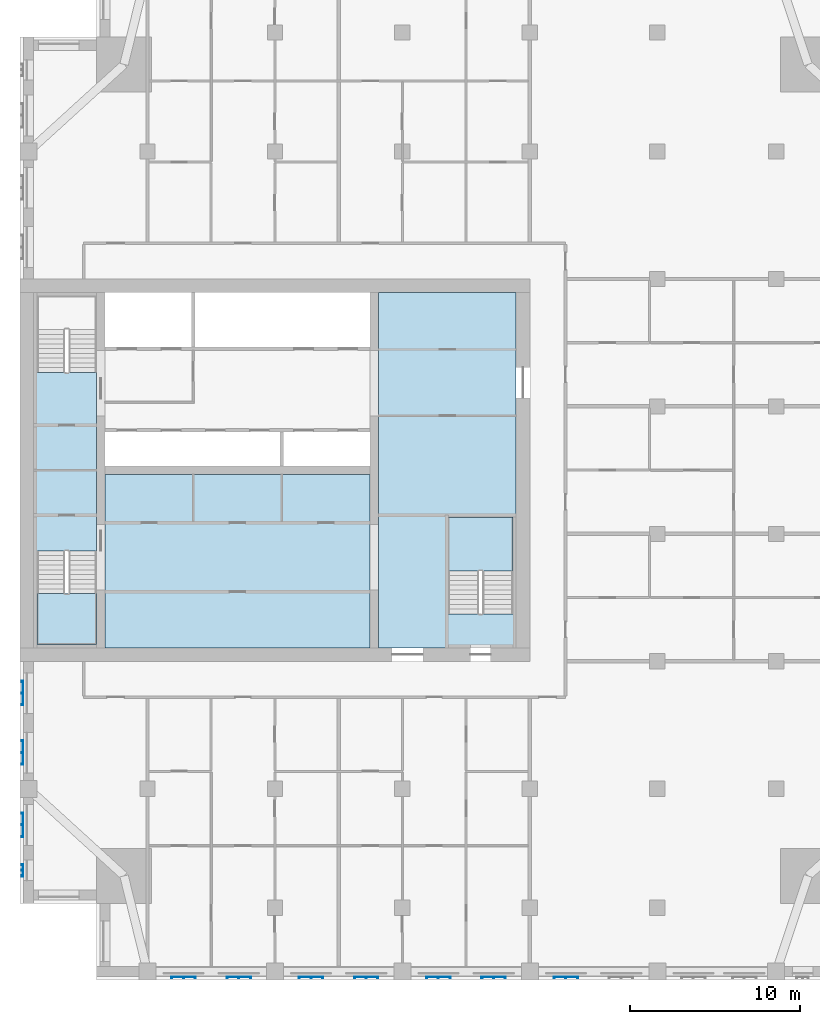
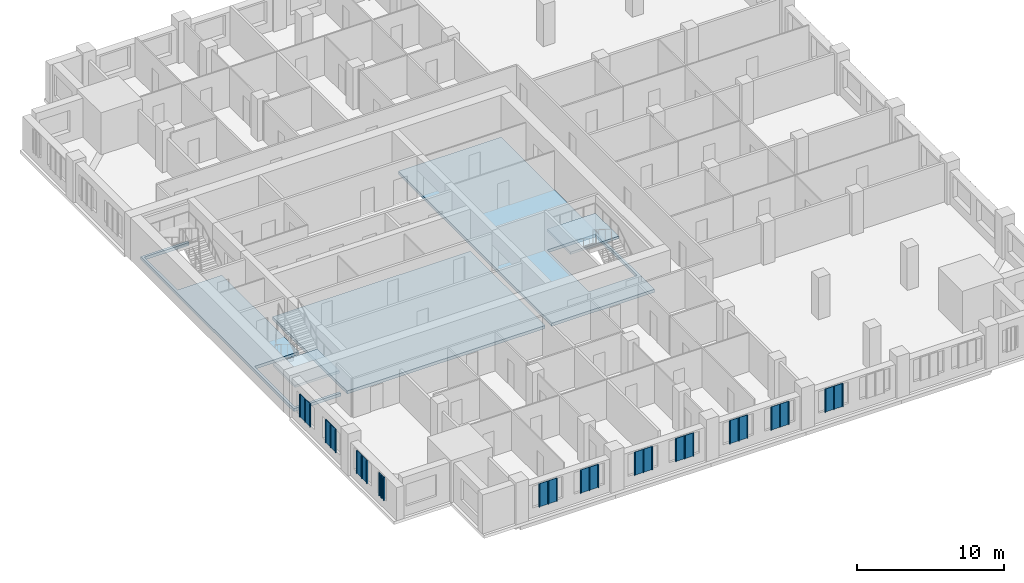
# One storey, part 2 of 14: 11 plates, 5 slabs, 2 elements without a shape of their own.
"""IFC4 building model written with IfcOpenShell, lengths in metres."""

import ifcopenshell
import ifcopenshell.guid

model = None  # the IFC model being written
_history = None  # IfcOwnerHistory: only IFC2X3 demands one
_inside = {}  # id of a spatial element -> (the spatial element, [elements in it])
_under = {}  # id of a project, library or spatial element -> (it, [spatial elements below it])
_declared = {}  # id of a project -> (the project, [libraries it declares])
_typed = {}  # id of a type object -> (the type object, [elements of that type])
_made_of = {}  # id of a material, layer set ... -> (it, [elements and type objects made of it])


def new_model(schema):
    """Start an empty IFC model of exactly this schema.

    Asked for "IFC4X3", IfcOpenShell would pick the latest addendum, in which some entities
    have other attributes; the version numbers below select the first issue.
    IFC2X3 requires an IfcOwnerHistory on every rooted entity: one is made here for all.
    """
    global model, _history
    if schema == "IFC4X3":
        model = ifcopenshell.file(schema_version=(4, 3, 0, 0))
    else:
        model = ifcopenshell.file(schema=schema)
    _inside.clear()
    _under.clear()
    _declared.clear()
    _typed.clear()
    _made_of.clear()
    _history = None
    if model.schema == "IFC2X3":
        org = make("IfcOrganization", Name="unknown")
        user = make(
            "IfcPersonAndOrganization",
            ThePerson=make("IfcPerson", FamilyName="unknown"),
            TheOrganization=org,
        )
        app = make(
            "IfcApplication",
            ApplicationDeveloper=org,
            Version="unknown",
            ApplicationFullName="unknown",
            ApplicationIdentifier="unknown",
        )
        _history = make(
            "IfcOwnerHistory",
            OwningUser=user,
            OwningApplication=app,
            ChangeAction="ADDED",
            CreationDate=0,
        )
    return model


def make(cls, **values):
    """One entity of the class cls with the attributes given. An attribute that is None is left unset."""
    return model.create_entity(
        cls, **{name: value for name, value in values.items() if value is not None}
    )


def rooted(cls, **values):
    """An entity with a GlobalId (a new one), such as an element, a storey or a relation."""
    return make(cls, GlobalId=ifcopenshell.guid.new(), OwnerHistory=_history, **values)


def si_unit(unit_type, name, prefix=None):
    """IfcSIUnit, for example si_unit("LENGTHUNIT", "METRE", prefix="MILLI")."""
    return make("IfcSIUnit", UnitType=unit_type, Prefix=prefix, Name=name)


def assignment(units):
    """IfcUnitAssignment: the units of a project."""
    return None if units is None else make("IfcUnitAssignment", Units=units)


def point(xyz):
    """IfcCartesianPoint."""
    return None if xyz is None else make("IfcCartesianPoint", Coordinates=xyz)


def direction(xyz):
    """IfcDirection."""
    return None if xyz is None else make("IfcDirection", DirectionRatios=xyz)


def frame(location, z_axis=None, x_axis=None):
    """IfcAxis2Placement3D, a coordinate frame: its origin and axes. An axis left out is left unset."""
    return make(
        "IfcAxis2Placement3D",
        Location=point(location),
        Axis=direction(z_axis),
        RefDirection=direction(x_axis),
    )


def origin():
    """The frame at (0, 0, 0) with its axes left unset."""
    return frame((0.0, 0.0, 0.0))


def place(relative_to, where):
    """IfcLocalPlacement: puts the frame where relative to a parent placement (None: the world)."""
    return make(
        "IfcLocalPlacement", PlacementRelTo=relative_to, RelativePlacement=where
    )


def context(
    kind, dimensions, precision=None, world=None, true_north=None, identifier=None
):
    """IfcGeometricRepresentationContext, for example the 3D "Model" context."""
    return make(
        "IfcGeometricRepresentationContext",
        ContextIdentifier=identifier,
        ContextType=kind,
        CoordinateSpaceDimension=dimensions,
        Precision=precision,
        WorldCoordinateSystem=world,
        TrueNorth=true_north,
    )


def subcontext(parent, identifier, kind, view, scale=None):
    """IfcGeometricRepresentationSubContext, for example "Body" below "Model"."""
    return make(
        "IfcGeometricRepresentationSubContext",
        ContextIdentifier=identifier,
        ContextType=kind,
        ParentContext=parent,
        TargetScale=scale,
        TargetView=view,
    )


def project(units=None, contexts=None):
    """IfcProject with its units and contexts."""
    return rooted(
        "IfcProject",
        Name="project",
        RepresentationContexts=contexts,
        UnitsInContext=assignment(units),
    )


def spatial(cls, under=None, at=None, **own):
    """A site, building, storey or space (cls), placed at a placement, below another one or the project."""
    s = rooted(cls, ObjectPlacement=at, **own)
    if under is not None:
        _under.setdefault(under.id(), (under, []))[1].append(s)
    return s


def polyline(points):
    """IfcPolyline through the points."""
    return make("IfcPolyline", Points=[point(p) for p in points])


def outline(outer, holes=None, kind="AREA"):
    """IfcArbitraryClosedProfileDef: a profile drawn as a closed curve; with holes, ...WithVoids."""
    if holes is None:
        return make("IfcArbitraryClosedProfileDef", ProfileType=kind, OuterCurve=outer)
    return make(
        "IfcArbitraryProfileDefWithVoids",
        ProfileType=kind,
        OuterCurve=outer,
        InnerCurves=holes,
    )


def extrude(swept, where, along, depth):
    """IfcExtrudedAreaSolid: the profile swept, set in the frame where, extruded along a direction by depth."""
    return make(
        "IfcExtrudedAreaSolid",
        SweptArea=swept,
        Position=where,
        ExtrudedDirection=direction(along),
        Depth=depth,
    )


def shape(context_of_items, identifier, shape_type, items):
    """IfcShapeRepresentation: the items that make up one representation, for example the "Body"."""
    return make(
        "IfcShapeRepresentation",
        ContextOfItems=context_of_items,
        RepresentationIdentifier=identifier,
        RepresentationType=shape_type,
        Items=items,
    )


def material(Name=None, Category=None):
    """IfcMaterial."""
    return make("IfcMaterial", Name=Name, Category=Category)


def layer(
    of_material, thickness, ventilated=None, Name=None, Category=None, Priority=None
):
    """IfcMaterialLayer: one layer of a wall or slab, of a material (None: an air gap)."""
    return make(
        "IfcMaterialLayer",
        Material=of_material,
        LayerThickness=thickness,
        IsVentilated=ventilated,
        Name=Name,
        Category=Category,
        Priority=Priority,
    )


def layer_set(layers, Name=None):
    """IfcMaterialLayerSet."""
    return make("IfcMaterialLayerSet", MaterialLayers=layers, LayerSetName=Name)


def made_of(thing, what):
    """Note that an element or type object is made of a material, layer set ...; save() writes the relation."""
    if what is not None:
        _made_of.setdefault(what.id(), (what, []))[1].append(thing)
    return thing


def type_object(cls, material=None, **own):
    """A type object (cls), such as IfcWallType, which elements share."""
    return made_of(rooted(cls, **own), material)


def element(
    cls,
    number,
    at=None,
    inside=None,
    cuts=None,
    type_object=None,
    material=None,
    context=None,
    identifier="Body",
    shape_type=None,
    held_by="IfcProductDefinitionShape",
    body=None,
    shapes=None,
    **own,
):
    """One element of the class cls, such as IfcWall. Its Tag is "e" and its number.

    at: its placement. inside: the storey or other place that contains it. cuts: it is an
    opening in that element (IfcRelVoidsElement). A single representation is given by context,
    identifier, shape_type and body (its items); several are given by shapes. held_by: the class
    of the entity that holds the representations. save() writes the other relations.
    """
    e = rooted(cls, Tag="e%d" % number, ObjectPlacement=at, **own)
    if body is not None:
        shapes = [shape(context, identifier, shape_type, body)]
    if shapes is not None:
        e.Representation = make(held_by, Representations=shapes)
    if inside is not None:
        _inside.setdefault(inside.id(), (inside, []))[1].append(e)
    if cuts is not None:
        rooted(
            "IfcRelVoidsElement", RelatingBuildingElement=cuts, RelatedOpeningElement=e
        )
    if type_object is not None:
        _typed.setdefault(type_object.id(), (type_object, []))[1].append(e)
    return made_of(e, material)


def aggregate(whole, parts):
    """IfcRelAggregates: a whole, such as a stair, and the parts it consists of."""
    return rooted("IfcRelAggregates", RelatingObject=whole, RelatedObjects=parts)


def save(model, path):
    """Write the relations noted so far, then the file.

    IfcRelAggregates (storeys below a building ...), IfcRelContainedInSpatialStructure (elements
    in a storey), IfcRelDefinesByType, IfcRelAssociatesMaterial and IfcRelDeclares: one each for
    every whole, place, type object, material and project.
    """
    for whole, parts in _under.values():
        aggregate(whole, parts)
    for where, things in _inside.values():
        rooted(
            "IfcRelContainedInSpatialStructure",
            RelatedElements=things,
            RelatingStructure=where,
        )
    for kind, things in _typed.values():
        rooted("IfcRelDefinesByType", RelatedObjects=things, RelatingType=kind)
    for what, things in _made_of.values():
        rooted("IfcRelAssociatesMaterial", RelatedObjects=things, RelatingMaterial=what)
    for by, libraries in _declared.values():
        rooted("IfcRelDeclares", RelatingContext=by, RelatedDefinitions=libraries)
    model.write(path)


model = new_model("IFC4")

# Units and contexts
model_context = context("Model", 3, precision=1e-05, world=origin(), true_north=direction((0.0, 1.0)))
body_context = subcontext(model_context, "Body", "Model", "MODEL_VIEW")
ifc_project = project(units=[si_unit("LENGTHUNIT", "METRE"), si_unit("AREAUNIT", "SQUARE_METRE"), si_unit("VOLUMEUNIT", "CUBIC_METRE"), si_unit("PLANEANGLEUNIT", "RADIAN"), si_unit("MASSUNIT", "GRAM", prefix="KILO")], contexts=[model_context])

# Site, building, storey
site_placement = place(None, origin())
site = spatial("IfcSite", under=ifc_project, at=site_placement, CompositionType="ELEMENT")
building_placement = place(site_placement, origin())
building = spatial("IfcBuilding", under=site, at=building_placement, Name="Tamorin Gate", CompositionType="ELEMENT")
storey_placement = place(building_placement, frame((0.0, 0.0, 196.699951171875)))
storey = spatial("IfcBuildingStorey", under=building, at=storey_placement, Name="L48", CompositionType="ELEMENT", Elevation=196.699951171875)

# Slabs
ifc_material_1 = material(Name="Concrete C40/50", Category="concrete")
ifc_layer_1 = layer(ifc_material_1, 0.25)
ifc_layer_set_1 = layer_set([ifc_layer_1], Name="Core floor slab 250 C40/50")
slab_type_1 = type_object("IfcSlabType", Name="Core floor slab 250 C40/50", PredefinedType="FLOOR", material=ifc_layer_set_1)
slab_1_placement = place(storey_placement, frame((0.0, 0.0, -0.25)))
element("IfcSlab", 1, at=slab_1_placement, inside=storey, type_object=slab_type_1, Name="Core floor L48", PredefinedType="FLOOR", context=body_context, shape_type="SweptSolid", body=[
    extrude(outline(polyline([(51.10009765625, 81.699951171875), (59.199951171875, 81.699951171875), (59.199951171875, 60.800048828125), (51.10009765625, 60.800048828125), (51.10009765625, 81.699951171875)]), holes=[polyline([(55.199951171875, 62.800048828125), (59.0, 62.800048828125), (59.0, 68.5), (55.199951171875, 68.5), (55.199951171875, 62.800048828125)])]), origin(), (0.0, 0.0, 1.0), 0.25),
])
slab_2_placement = place(storey_placement, frame((0.0, 0.0, -0.25)))
element("IfcSlab", 2, at=slab_2_placement, inside=storey, type_object=slab_type_1, Name="Core floor L48", PredefinedType="FLOOR", context=body_context, shape_type="SweptSolid", body=[
    extrude(outline(polyline([(50.60009765625, 71.0), (50.60009765625, 60.800048828125), (35.0, 60.800048828125), (35.0, 71.0), (50.60009765625, 71.0)])), origin(), (0.0, 0.0, 1.0), 0.25),
])
slab_3_placement = place(storey_placement, frame((0.0, 0.0, -0.25)))
element("IfcSlab", 3, at=slab_3_placement, inside=storey, type_object=slab_type_1, Name="Core floor L48", PredefinedType="FLOOR", context=body_context, shape_type="SweptSolid", body=[
    extrude(outline(polyline([(34.5, 60.800048828125), (30.800048828125, 60.800048828125), (30.800048828125, 81.699951171875), (34.5, 81.699951171875), (34.5, 81.5), (31.0, 81.5), (31.0, 77.0), (34.5, 77.0), (34.5, 66.5), (31.0, 66.5), (31.0, 61.0), (34.5, 61.0), (34.5, 60.800048828125)])), origin(), (0.0, 0.0, 1.0), 0.25),
])

# Stair, slab
stair_type = type_object("IfcStairType", Name="Exit stair", PredefinedType="HALF_TURN_STAIR", material=ifc_material_1)
stair_1_placement = place(storey_placement, origin())
stair_1 = element("IfcStair", 4, at=stair_1_placement, inside=storey, type_object=stair_type, Name="L48 stair ST1", PredefinedType="HALF_TURN_STAIR")
ifc_layer_2 = layer(ifc_material_1, 0.199951171875)
ifc_layer_set_2 = layer_set([ifc_layer_2], Name="Exit stair landing 200")
slab_type_2 = type_object("IfcSlabType", Name="Exit stair landing 200", PredefinedType="LANDING", material=ifc_layer_set_2)
slab_4_placement = place(storey_placement, frame((0.0, 0.0, 1.550048828125)))
slab_4 = element("IfcSlab", 5, at=slab_4_placement, type_object=slab_type_2, Name="ST1 landing 1", PredefinedType="LANDING", context=body_context, shape_type="SweptSolid", body=[
    extrude(outline(polyline([(31.0, 63.97998046875), (31.0, 61.0), (34.5, 61.0), (34.5, 63.97998046875), (31.0, 63.97998046875)])), origin(), (0.0, 0.0, 1.0), 0.199951171875),
])
aggregate(stair_1, [slab_4])

stair_2_placement = place(storey_placement, origin())
stair_2 = element("IfcStair", 6, at=stair_2_placement, inside=storey, type_object=stair_type, Name="L48 stair ST3", PredefinedType="HALF_TURN_STAIR")
slab_5_placement = place(storey_placement, frame((0.0, 0.0, 1.550048828125)))
slab_5 = element("IfcSlab", 7, at=slab_5_placement, type_object=slab_type_2, Name="ST3 landing 1", PredefinedType="LANDING", context=body_context, shape_type="SweptSolid", body=[
    extrude(outline(polyline([(59.0, 65.320068359375), (59.0, 68.5), (55.199951171875, 68.5), (55.199951171875, 65.320068359375), (59.0, 65.320068359375)])), origin(), (0.0, 0.0, 1.0), 0.199951171875),
])
aggregate(stair_2, [slab_5])

# Plates
ifc_material_2 = material(Name="Perforated pale aluminium sheet", Category="aluminium")
ifc_layer_3 = layer(ifc_material_2, 0.0400390625)
ifc_layer_set_3 = layer_set([ifc_layer_3], Name="Pale metal solar screen 1440")
plate_type_1 = type_object("IfcPlateType", Name="Pale metal solar screen 1440", PredefinedType="SHEET", material=ifc_layer_set_3)
plate_1_placement = place(storey_placement, frame((0.0, 0.0, 0.737548828125)))
element("IfcPlate", 8, at=plate_1_placement, inside=storey, type_object=plate_type_1, Name="Perforated solar screen", PredefinedType="SHEET", context=body_context, shape_type="SweptSolid", body=[
    extrude(outline(polyline([(38.905029296875, 41.409912109375), (38.905029296875, 41.449951171875), (38.965087890625, 41.449951171875), (39.594970703125, 41.449951171875), (39.655029296875, 41.449951171875), (40.284912109375, 41.449951171875), (40.344970703125, 41.449951171875), (40.344970703125, 41.449951171875), (40.344970703125, 41.409912109375), (40.344970703125, 41.409912109375), (40.344970703125, 41.35009765625), (40.284912109375, 41.35009765625), (40.284912109375, 41.409912109375), (39.655029296875, 41.409912109375), (39.655029296875, 41.35009765625), (39.594970703125, 41.35009765625), (39.594970703125, 41.409912109375), (38.965087890625, 41.409912109375), (38.965087890625, 41.35009765625), (38.905029296875, 41.35009765625), (38.905029296875, 41.409912109375)])), origin(), (0.0, 0.0, 1.0), 1.925048828125),
])
plate_2_placement = place(storey_placement, frame((0.0, 0.0, 0.737548828125)))
element("IfcPlate", 9, at=plate_2_placement, inside=storey, type_object=plate_type_1, Name="Perforated solar screen", PredefinedType="SHEET", context=body_context, shape_type="SweptSolid", body=[
    extrude(outline(polyline([(42.155029296875, 41.409912109375), (42.155029296875, 41.449951171875), (42.215087890625, 41.449951171875), (42.844970703125, 41.449951171875), (42.905029296875, 41.449951171875), (43.534912109375, 41.449951171875), (43.594970703125, 41.449951171875), (43.594970703125, 41.409912109375), (43.594970703125, 41.35009765625), (43.534912109375, 41.35009765625), (43.534912109375, 41.409912109375), (42.905029296875, 41.409912109375), (42.905029296875, 41.35009765625), (42.844970703125, 41.35009765625), (42.844970703125, 41.409912109375), (42.215087890625, 41.409912109375), (42.215087890625, 41.35009765625), (42.155029296875, 41.35009765625), (42.155029296875, 41.409912109375)])), origin(), (0.0, 0.0, 1.0), 1.925048828125),
])
plate_3_placement = place(storey_placement, frame((0.0, 0.0, 0.737548828125)))
element("IfcPlate", 10, at=plate_3_placement, inside=storey, type_object=plate_type_1, Name="Perforated solar screen", PredefinedType="SHEET", context=body_context, shape_type="SweptSolid", body=[
    extrude(outline(polyline([(46.405029296875, 41.409912109375), (46.405029296875, 41.449951171875), (46.465087890625, 41.449951171875), (47.094970703125, 41.449951171875), (47.155029296875, 41.449951171875), (47.784912109375, 41.449951171875), (47.844970703125, 41.449951171875), (47.844970703125, 41.409912109375), (47.844970703125, 41.35009765625), (47.784912109375, 41.35009765625), (47.784912109375, 41.409912109375), (47.155029296875, 41.409912109375), (47.155029296875, 41.35009765625), (47.094970703125, 41.35009765625), (47.094970703125, 41.409912109375), (46.465087890625, 41.409912109375), (46.465087890625, 41.35009765625), (46.405029296875, 41.35009765625), (46.405029296875, 41.409912109375)])), origin(), (0.0, 0.0, 1.0), 1.925048828125),
])
plate_4_placement = place(storey_placement, frame((0.0, 0.0, 0.737548828125)))
element("IfcPlate", 11, at=plate_4_placement, inside=storey, type_object=plate_type_1, Name="Perforated solar screen", PredefinedType="SHEET", context=body_context, shape_type="SweptSolid", body=[
    extrude(outline(polyline([(49.655029296875, 41.409912109375), (49.655029296875, 41.449951171875), (49.715087890625, 41.449951171875), (50.344970703125, 41.449951171875), (50.405029296875, 41.449951171875), (51.034912109375, 41.449951171875), (51.094970703125, 41.449951171875), (51.094970703125, 41.409912109375), (51.094970703125, 41.35009765625), (51.034912109375, 41.35009765625), (51.034912109375, 41.409912109375), (50.405029296875, 41.409912109375), (50.405029296875, 41.35009765625), (50.344970703125, 41.35009765625), (50.344970703125, 41.409912109375), (49.715087890625, 41.409912109375), (49.715087890625, 41.35009765625), (49.655029296875, 41.35009765625), (49.655029296875, 41.409912109375)])), origin(), (0.0, 0.0, 1.0), 1.925048828125),
])
plate_5_placement = place(storey_placement, frame((0.0, 0.0, 0.737548828125)))
element("IfcPlate", 12, at=plate_5_placement, inside=storey, type_object=plate_type_1, Name="Perforated solar screen", PredefinedType="SHEET", context=body_context, shape_type="SweptSolid", body=[
    extrude(outline(polyline([(53.905029296875, 41.409912109375), (53.905029296875, 41.449951171875), (53.965087890625, 41.449951171875), (54.594970703125, 41.449951171875), (54.655029296875, 41.449951171875), (55.284912109375, 41.449951171875), (55.344970703125, 41.449951171875), (55.344970703125, 41.409912109375), (55.344970703125, 41.35009765625), (55.284912109375, 41.35009765625), (55.284912109375, 41.409912109375), (54.655029296875, 41.409912109375), (54.655029296875, 41.35009765625), (54.594970703125, 41.35009765625), (54.594970703125, 41.409912109375), (53.965087890625, 41.409912109375), (53.965087890625, 41.35009765625), (53.905029296875, 41.35009765625), (53.905029296875, 41.409912109375)])), origin(), (0.0, 0.0, 1.0), 1.925048828125),
])
plate_6_placement = place(storey_placement, frame((0.0, 0.0, 0.737548828125)))
element("IfcPlate", 13, at=plate_6_placement, inside=storey, type_object=plate_type_1, Name="Perforated solar screen", PredefinedType="SHEET", context=body_context, shape_type="SweptSolid", body=[
    extrude(outline(polyline([(57.155029296875, 41.409912109375), (57.155029296875, 41.449951171875), (57.215087890625, 41.449951171875), (57.844970703125, 41.449951171875), (57.905029296875, 41.449951171875), (58.534912109375, 41.449951171875), (58.594970703125, 41.449951171875), (58.594970703125, 41.409912109375), (58.594970703125, 41.35009765625), (58.534912109375, 41.35009765625), (58.534912109375, 41.409912109375), (57.905029296875, 41.409912109375), (57.905029296875, 41.35009765625), (57.844970703125, 41.35009765625), (57.844970703125, 41.409912109375), (57.215087890625, 41.409912109375), (57.215087890625, 41.35009765625), (57.155029296875, 41.35009765625), (57.155029296875, 41.409912109375)])), origin(), (0.0, 0.0, 1.0), 1.925048828125),
])
plate_7_placement = place(storey_placement, frame((0.0, 0.0, 0.737548828125)))
element("IfcPlate", 14, at=plate_7_placement, inside=storey, type_object=plate_type_1, Name="Perforated solar screen", PredefinedType="SHEET", context=body_context, shape_type="SweptSolid", body=[
    extrude(outline(polyline([(61.405029296875, 41.409912109375), (61.405029296875, 41.449951171875), (61.465087890625, 41.449951171875), (62.094970703125, 41.449951171875), (62.155029296875, 41.449951171875), (62.784912109375, 41.449951171875), (62.844970703125, 41.449951171875), (62.844970703125, 41.409912109375), (62.844970703125, 41.35009765625), (62.784912109375, 41.35009765625), (62.784912109375, 41.409912109375), (62.155029296875, 41.409912109375), (62.155029296875, 41.35009765625), (62.094970703125, 41.35009765625), (62.094970703125, 41.409912109375), (61.465087890625, 41.409912109375), (61.465087890625, 41.35009765625), (61.405029296875, 41.35009765625), (61.405029296875, 41.409912109375)])), origin(), (0.0, 0.0, 1.0), 1.925048828125),
])
plate_8_placement = place(storey_placement, frame((0.0, 0.0, 0.737548828125)))
element("IfcPlate", 15, at=plate_8_placement, inside=storey, type_object=plate_type_1, Name="Perforated solar screen", PredefinedType="SHEET", context=body_context, shape_type="SweptSolid", body=[
    extrude(outline(polyline([(30.159912109375, 55.344970703125), (30.199951171875, 55.344970703125), (30.199951171875, 55.284912109375), (30.199951171875, 54.655029296875), (30.199951171875, 54.594970703125), (30.199951171875, 53.965087890625), (30.199951171875, 53.905029296875), (30.159912109375, 53.905029296875), (30.10009765625, 53.905029296875), (30.10009765625, 53.965087890625), (30.159912109375, 53.965087890625), (30.159912109375, 54.594970703125), (30.10009765625, 54.594970703125), (30.10009765625, 54.655029296875), (30.159912109375, 54.655029296875), (30.159912109375, 55.284912109375), (30.10009765625, 55.284912109375), (30.10009765625, 55.344970703125), (30.159912109375, 55.344970703125)])), origin(), (0.0, 0.0, 1.0), 1.925048828125),
])
plate_9_placement = place(storey_placement, frame((0.0, 0.0, 0.737548828125)))
element("IfcPlate", 16, at=plate_9_placement, inside=storey, type_object=plate_type_1, Name="Perforated solar screen", PredefinedType="SHEET", context=body_context, shape_type="SweptSolid", body=[
    extrude(outline(polyline([(30.159912109375, 58.844970703125), (30.199951171875, 58.844970703125), (30.199951171875, 58.784912109375), (30.199951171875, 58.155029296875), (30.199951171875, 58.094970703125), (30.199951171875, 57.465087890625), (30.199951171875, 57.405029296875), (30.159912109375, 57.405029296875), (30.10009765625, 57.405029296875), (30.10009765625, 57.465087890625), (30.159912109375, 57.465087890625), (30.159912109375, 58.094970703125), (30.10009765625, 58.094970703125), (30.10009765625, 58.155029296875), (30.159912109375, 58.155029296875), (30.159912109375, 58.784912109375), (30.10009765625, 58.784912109375), (30.10009765625, 58.844970703125), (30.159912109375, 58.844970703125)])), origin(), (0.0, 0.0, 1.0), 1.925048828125),
])
plate_10_placement = place(storey_placement, frame((0.0, 0.0, 0.737548828125)))
element("IfcPlate", 17, at=plate_10_placement, inside=storey, type_object=plate_type_1, Name="Perforated solar screen", PredefinedType="SHEET", context=body_context, shape_type="SweptSolid", body=[
    extrude(outline(polyline([(30.159912109375, 51.094970703125), (30.199951171875, 51.094970703125), (30.199951171875, 51.034912109375), (30.199951171875, 50.405029296875), (30.199951171875, 50.344970703125), (30.199951171875, 49.715087890625), (30.199951171875, 49.655029296875), (30.159912109375, 49.655029296875), (30.10009765625, 49.655029296875), (30.10009765625, 49.715087890625), (30.159912109375, 49.715087890625), (30.159912109375, 50.344970703125), (30.10009765625, 50.344970703125), (30.10009765625, 50.405029296875), (30.159912109375, 50.405029296875), (30.159912109375, 51.034912109375), (30.10009765625, 51.034912109375), (30.10009765625, 51.094970703125), (30.159912109375, 51.094970703125)])), origin(), (0.0, 0.0, 1.0), 1.925048828125),
])
ifc_layer_4 = layer(ifc_material_2, 0.0400390625)
ifc_layer_set_4 = layer_set([ifc_layer_4], Name="Pale metal solar screen 720")
plate_type_2 = type_object("IfcPlateType", Name="Pale metal solar screen 720", PredefinedType="SHEET", material=ifc_layer_set_4)
plate_11_placement = place(storey_placement, frame((0.0, 0.0, 0.737548828125)))
element("IfcPlate", 18, at=plate_11_placement, inside=storey, type_object=plate_type_2, Name="Perforated solar screen", PredefinedType="SHEET", context=body_context, shape_type="SweptSolid", body=[
    extrude(outline(polyline([(30.159912109375, 48.06005859375), (30.199951171875, 48.06005859375), (30.199951171875, 48.0), (30.199951171875, 47.72998046875), (30.199951171875, 47.669921875), (30.199951171875, 47.39990234375), (30.199951171875, 47.340087890625), (30.159912109375, 47.340087890625), (30.10009765625, 47.340087890625), (30.10009765625, 47.39990234375), (30.159912109375, 47.39990234375), (30.159912109375, 47.669921875), (30.10009765625, 47.669921875), (30.10009765625, 47.72998046875), (30.159912109375, 47.72998046875), (30.159912109375, 48.0), (30.10009765625, 48.0), (30.10009765625, 48.06005859375), (30.159912109375, 48.06005859375)])), origin(), (0.0, 0.0, 1.0), 1.925048828125),
])

save(model, "model.ifc")
